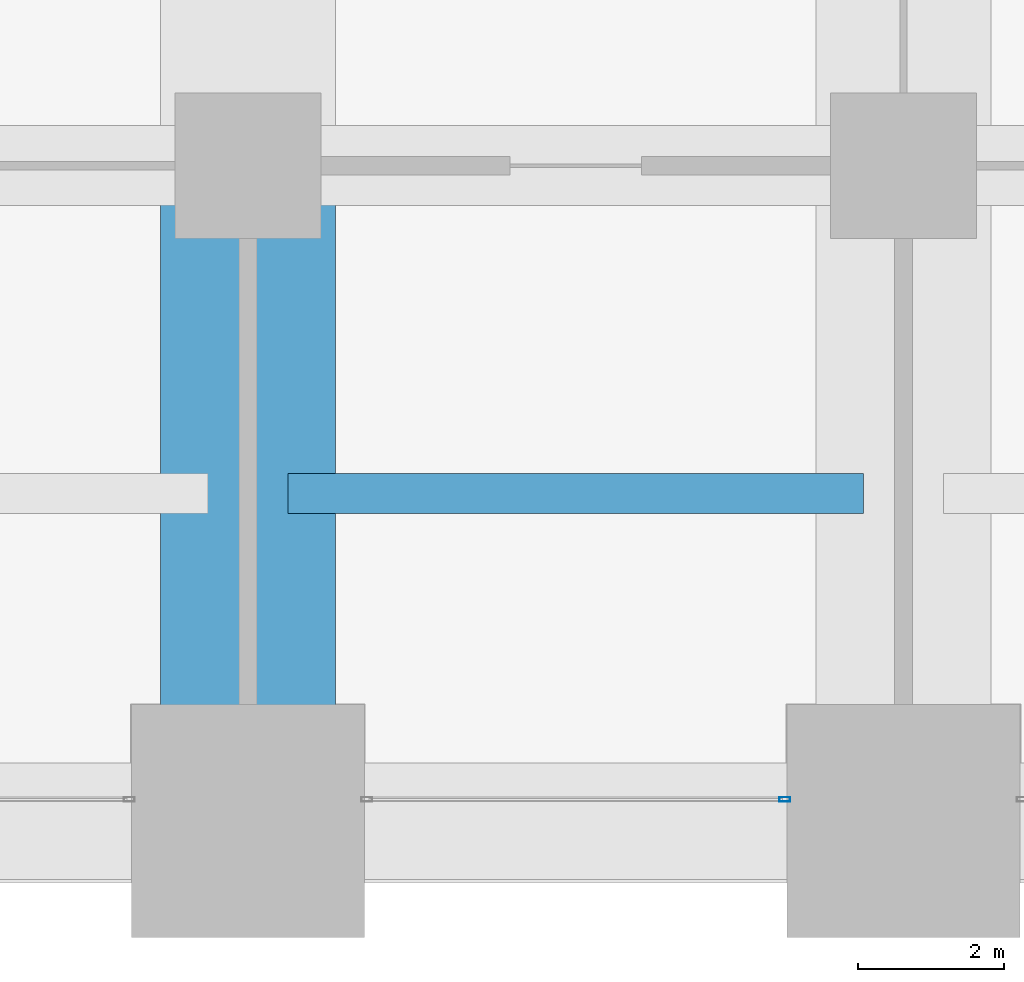
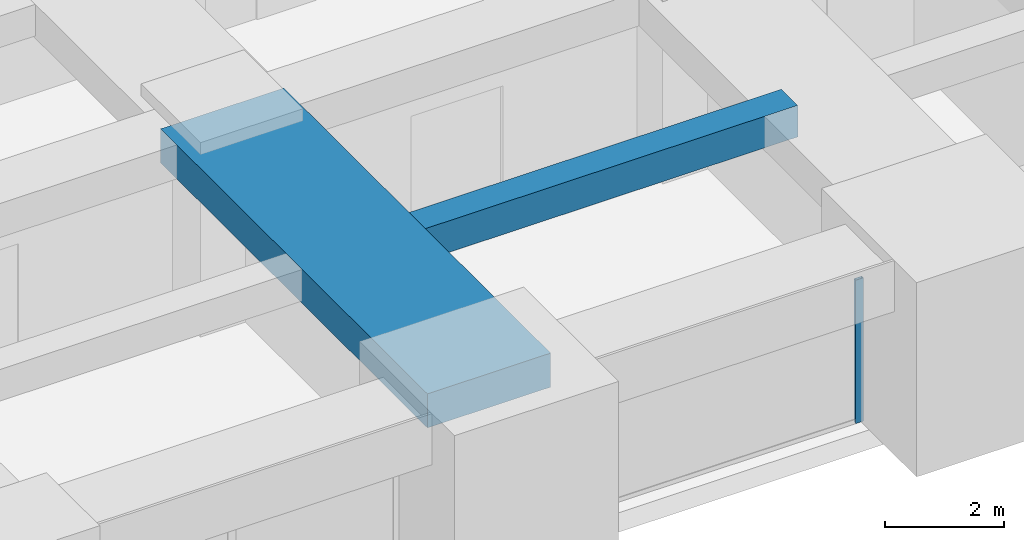
# One storey, part 7 of 35: 2 beams, 1 member, 1 element without a shape of its own.
"""IFC4 building model written with IfcOpenShell, lengths in metres."""

from ifc_helpers import new_model, si_unit, direction, frame, origin, origin_2d, place, context, subcontext, project, spatial, rectangle, hollow_rectangle, extrude, material, material_profile, profile_set, type_object, element, aggregate, save


model = new_model("IFC4")

# Units and contexts
model_context = context("Model", 3, precision=1e-05, world=origin(), true_north=direction((0.0, 1.0)))
body_context = subcontext(model_context, "Body", "Model", "MODEL_VIEW")
ifc_project = project(units=[si_unit("LENGTHUNIT", "METRE"), si_unit("AREAUNIT", "SQUARE_METRE"), si_unit("VOLUMEUNIT", "CUBIC_METRE"), si_unit("PLANEANGLEUNIT", "RADIAN"), si_unit("MASSUNIT", "GRAM", prefix="KILO")], contexts=[model_context])

# Site, building, storey
site_placement = place(None, origin())
site = spatial("IfcSite", under=ifc_project, at=site_placement, CompositionType="ELEMENT")
building_placement = place(site_placement, origin())
building = spatial("IfcBuilding", under=site, at=building_placement, Name="Zorevar Civic Tower", CompositionType="ELEMENT")
storey_placement = place(building_placement, frame((0.0, 0.0, 162.199951171875)))
storey = spatial("IfcBuildingStorey", under=building, at=storey_placement, Name="L39", CompositionType="ELEMENT", Elevation=162.199951171875)

# Beams
ifc_material_1 = material(Name="Concrete C50/60", Category="concrete")
ifc_material_profile_1 = material_profile(ifc_material_1, rectangle(XDim=2.39990234375, YDim=0.699951171875, at=origin_2d()), Name="RC 2400x700")
ifc_profile_set_1 = profile_set([ifc_material_profile_1], Name="Concrete C50/60")
beam_type_1 = type_object("IfcBeamType", Name="Beam RC 2400x700", PredefinedType="BEAM", material=ifc_profile_set_1)
beam_1_placement = place(storey_placement, frame((18.0, 0.0, 3.400146484375), z_axis=(0.0, 1.0, 0.0), x_axis=(-1.0, 0.0, 0.0)))
element("IfcBeam", 1, at=beam_1_placement, inside=storey, type_object=beam_type_1, Name="Girder L40", PredefinedType="BEAM", context=body_context, shape_type="SweptSolid", body=[
    extrude(rectangle(XDim=2.39990234375, YDim=0.699951171875, at=origin_2d()), origin(), (0.0, 0.0, 1.0), 9.0),
])
ifc_material_2 = material(Name="Concrete C50/60", Category="concrete")
ifc_material_profile_2 = material_profile(ifc_material_2, rectangle(XDim=0.550048828125, YDim=0.64990234375, at=origin_2d()), Name="RC 550x650")
ifc_profile_set_2 = profile_set([ifc_material_profile_2], Name="Concrete C50/60")
beam_type_2 = type_object("IfcBeamType", Name="Beam RC 550x650", PredefinedType="BEAM", material=ifc_profile_set_2)
beam_2_placement = place(storey_placement, frame((18.550048828125, 4.5, 3.425048828125), z_axis=(1.0, 0.0, 0.0), x_axis=(0.0, 1.0, 0.0)))
element("IfcBeam", 2, at=beam_2_placement, inside=storey, type_object=beam_type_2, Name="Secondary beam L40", PredefinedType="BEAM", context=body_context, shape_type="SweptSolid", body=[
    extrude(rectangle(XDim=0.550048828125, YDim=0.64990234375, at=origin_2d()), origin(), (0.0, 0.0, 1.0), 7.89990234375),
])

# Curtain wall, member
ifc_material_3 = material(Name="Dark grey solar-control glass in black aluminium frame", Category="aluminium")
curtain_wall_type = type_object("IfcCurtainWallType", Name="Curtain wall CW4 high zone", PredefinedType="NOTDEFINED", material=ifc_material_3)
curtain_wall_placement = place(storey_placement, origin())
curtain_wall = element("IfcCurtainWall", 3, at=curtain_wall_placement, inside=storey, type_object=curtain_wall_type, Name="CW4 L39", PredefinedType="NOTDEFINED")
ifc_material_4 = material(Name="Aluminium, black anodised", Category="aluminium")
ifc_material_profile_3 = material_profile(ifc_material_4, hollow_rectangle(XDim=0.06005859375, YDim=0.14990234375, WallThickness=0.00390625, at=origin_2d()), Name="AL 150x60x4")
ifc_profile_set_3 = profile_set([ifc_material_profile_3], Name="Aluminium, black anodised")
member_type = type_object("IfcMemberType", Name="CW4 mullion AL 150x60x4", PredefinedType="MULLION", material=ifc_profile_set_3)
member_placement = place(storey_placement, frame((25.3701171875, 0.300048828125, 0.0), z_axis=(0.0, 0.0, 1.0), x_axis=(0.0, 1.0, 0.0)))
member = element("IfcMember", 4, at=member_placement, type_object=member_type, Name="CW4 mullion 2", PredefinedType="MULLION", context=body_context, shape_type="SweptSolid", body=[
    extrude(hollow_rectangle(XDim=0.06005859375, YDim=0.14990234375, WallThickness=0.00390625, at=origin_2d()), origin(), (0.0, 0.0, 1.0), 2.949951171875),
])
aggregate(curtain_wall, [member])

save(model, "model.ifc")
